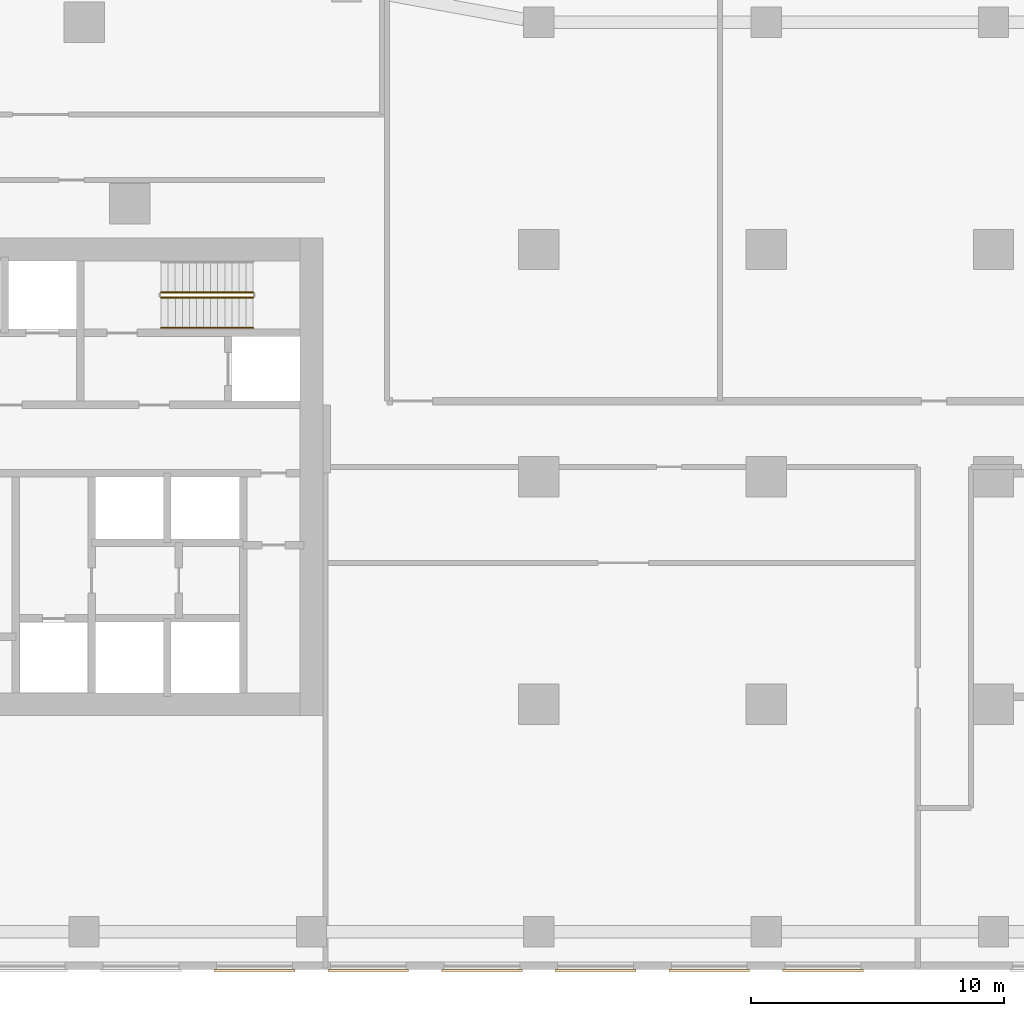
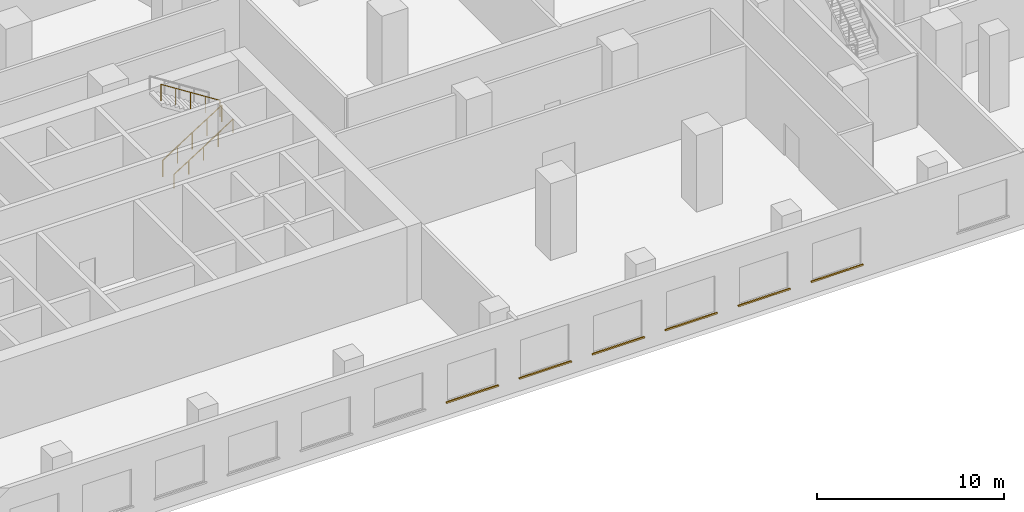
# One storey, part 23 of 33: 6 coverings, 3 railings.
"""IFC4 building model written with IfcOpenShell, lengths in metres."""

import ifcopenshell
import ifcopenshell.guid

model = None  # the IFC model being written
_history = None  # IfcOwnerHistory: only IFC2X3 demands one
_inside = {}  # id of a spatial element -> (the spatial element, [elements in it])
_under = {}  # id of a project, library or spatial element -> (it, [spatial elements below it])
_declared = {}  # id of a project -> (the project, [libraries it declares])
_typed = {}  # id of a type object -> (the type object, [elements of that type])
_made_of = {}  # id of a material, layer set ... -> (it, [elements and type objects made of it])


def new_model(schema):
    """Start an empty IFC model of exactly this schema.

    Asked for "IFC4X3", IfcOpenShell would pick the latest addendum, in which some entities
    have other attributes; the version numbers below select the first issue.
    IFC2X3 requires an IfcOwnerHistory on every rooted entity: one is made here for all.
    """
    global model, _history
    if schema == "IFC4X3":
        model = ifcopenshell.file(schema_version=(4, 3, 0, 0))
    else:
        model = ifcopenshell.file(schema=schema)
    _inside.clear()
    _under.clear()
    _declared.clear()
    _typed.clear()
    _made_of.clear()
    _history = None
    if model.schema == "IFC2X3":
        org = make("IfcOrganization", Name="unknown")
        user = make(
            "IfcPersonAndOrganization",
            ThePerson=make("IfcPerson", FamilyName="unknown"),
            TheOrganization=org,
        )
        app = make(
            "IfcApplication",
            ApplicationDeveloper=org,
            Version="unknown",
            ApplicationFullName="unknown",
            ApplicationIdentifier="unknown",
        )
        _history = make(
            "IfcOwnerHistory",
            OwningUser=user,
            OwningApplication=app,
            ChangeAction="ADDED",
            CreationDate=0,
        )
    return model


def make(cls, **values):
    """One entity of the class cls with the attributes given. An attribute that is None is left unset."""
    return model.create_entity(
        cls, **{name: value for name, value in values.items() if value is not None}
    )


def rooted(cls, **values):
    """An entity with a GlobalId (a new one), such as an element, a storey or a relation."""
    return make(cls, GlobalId=ifcopenshell.guid.new(), OwnerHistory=_history, **values)


def si_unit(unit_type, name, prefix=None):
    """IfcSIUnit, for example si_unit("LENGTHUNIT", "METRE", prefix="MILLI")."""
    return make("IfcSIUnit", UnitType=unit_type, Prefix=prefix, Name=name)


def assignment(units):
    """IfcUnitAssignment: the units of a project."""
    return None if units is None else make("IfcUnitAssignment", Units=units)


def point(xyz):
    """IfcCartesianPoint."""
    return None if xyz is None else make("IfcCartesianPoint", Coordinates=xyz)


def direction(xyz):
    """IfcDirection."""
    return None if xyz is None else make("IfcDirection", DirectionRatios=xyz)


def frame(location, z_axis=None, x_axis=None):
    """IfcAxis2Placement3D, a coordinate frame: its origin and axes. An axis left out is left unset."""
    return make(
        "IfcAxis2Placement3D",
        Location=point(location),
        Axis=direction(z_axis),
        RefDirection=direction(x_axis),
    )


def frame_2d(location, x_axis=None):
    """IfcAxis2Placement2D, a coordinate frame in the plane: its origin and x axis."""
    return make(
        "IfcAxis2Placement2D", Location=point(location), RefDirection=direction(x_axis)
    )


def origin():
    """The frame at (0, 0, 0) with its axes left unset."""
    return frame((0.0, 0.0, 0.0))


def origin_2d():
    """The frame at (0, 0) in the plane with its x axis left unset."""
    return frame_2d((0.0, 0.0))


def place(relative_to, where):
    """IfcLocalPlacement: puts the frame where relative to a parent placement (None: the world)."""
    return make(
        "IfcLocalPlacement", PlacementRelTo=relative_to, RelativePlacement=where
    )


def context(
    kind, dimensions, precision=None, world=None, true_north=None, identifier=None
):
    """IfcGeometricRepresentationContext, for example the 3D "Model" context."""
    return make(
        "IfcGeometricRepresentationContext",
        ContextIdentifier=identifier,
        ContextType=kind,
        CoordinateSpaceDimension=dimensions,
        Precision=precision,
        WorldCoordinateSystem=world,
        TrueNorth=true_north,
    )


def subcontext(parent, identifier, kind, view, scale=None):
    """IfcGeometricRepresentationSubContext, for example "Body" below "Model"."""
    return make(
        "IfcGeometricRepresentationSubContext",
        ContextIdentifier=identifier,
        ContextType=kind,
        ParentContext=parent,
        TargetScale=scale,
        TargetView=view,
    )


def project(units=None, contexts=None):
    """IfcProject with its units and contexts."""
    return rooted(
        "IfcProject",
        Name="project",
        RepresentationContexts=contexts,
        UnitsInContext=assignment(units),
    )


def spatial(cls, under=None, at=None, **own):
    """A site, building, storey or space (cls), placed at a placement, below another one or the project."""
    s = rooted(cls, ObjectPlacement=at, **own)
    if under is not None:
        _under.setdefault(under.id(), (under, []))[1].append(s)
    return s


def profile(cls, at=None, kind="AREA", **sizes):
    """A parametric profile (cls). Its sizes go by their IFC names, for example OverallWidth=200.0."""
    return make(cls, ProfileType=kind, Position=at, **sizes)


def rectangle(**sizes):
    """IfcRectangleProfileDef."""
    return profile("IfcRectangleProfileDef", **sizes)


def circle(**sizes):
    """IfcCircleProfileDef."""
    return profile("IfcCircleProfileDef", **sizes)


def extrude(swept, where, along, depth):
    """IfcExtrudedAreaSolid: the profile swept, set in the frame where, extruded along a direction by depth."""
    return make(
        "IfcExtrudedAreaSolid",
        SweptArea=swept,
        Position=where,
        ExtrudedDirection=direction(along),
        Depth=depth,
    )


def shape(context_of_items, identifier, shape_type, items):
    """IfcShapeRepresentation: the items that make up one representation, for example the "Body"."""
    return make(
        "IfcShapeRepresentation",
        ContextOfItems=context_of_items,
        RepresentationIdentifier=identifier,
        RepresentationType=shape_type,
        Items=items,
    )


def material(Name=None, Category=None):
    """IfcMaterial."""
    return make("IfcMaterial", Name=Name, Category=Category)


def layer(
    of_material, thickness, ventilated=None, Name=None, Category=None, Priority=None
):
    """IfcMaterialLayer: one layer of a wall or slab, of a material (None: an air gap)."""
    return make(
        "IfcMaterialLayer",
        Material=of_material,
        LayerThickness=thickness,
        IsVentilated=ventilated,
        Name=Name,
        Category=Category,
        Priority=Priority,
    )


def layer_set(layers, Name=None):
    """IfcMaterialLayerSet."""
    return make("IfcMaterialLayerSet", MaterialLayers=layers, LayerSetName=Name)


def made_of(thing, what):
    """Note that an element or type object is made of a material, layer set ...; save() writes the relation."""
    if what is not None:
        _made_of.setdefault(what.id(), (what, []))[1].append(thing)
    return thing


def type_object(cls, material=None, **own):
    """A type object (cls), such as IfcWallType, which elements share."""
    return made_of(rooted(cls, **own), material)


def element(
    cls,
    number,
    at=None,
    inside=None,
    cuts=None,
    type_object=None,
    material=None,
    context=None,
    identifier="Body",
    shape_type=None,
    held_by="IfcProductDefinitionShape",
    body=None,
    shapes=None,
    **own,
):
    """One element of the class cls, such as IfcWall. Its Tag is "e" and its number.

    at: its placement. inside: the storey or other place that contains it. cuts: it is an
    opening in that element (IfcRelVoidsElement). A single representation is given by context,
    identifier, shape_type and body (its items); several are given by shapes. held_by: the class
    of the entity that holds the representations. save() writes the other relations.
    """
    e = rooted(cls, Tag="e%d" % number, ObjectPlacement=at, **own)
    if body is not None:
        shapes = [shape(context, identifier, shape_type, body)]
    if shapes is not None:
        e.Representation = make(held_by, Representations=shapes)
    if inside is not None:
        _inside.setdefault(inside.id(), (inside, []))[1].append(e)
    if cuts is not None:
        rooted(
            "IfcRelVoidsElement", RelatingBuildingElement=cuts, RelatedOpeningElement=e
        )
    if type_object is not None:
        _typed.setdefault(type_object.id(), (type_object, []))[1].append(e)
    return made_of(e, material)


def aggregate(whole, parts):
    """IfcRelAggregates: a whole, such as a stair, and the parts it consists of."""
    return rooted("IfcRelAggregates", RelatingObject=whole, RelatedObjects=parts)


def save(model, path):
    """Write the relations noted so far, then the file.

    IfcRelAggregates (storeys below a building ...), IfcRelContainedInSpatialStructure (elements
    in a storey), IfcRelDefinesByType, IfcRelAssociatesMaterial and IfcRelDeclares: one each for
    every whole, place, type object, material and project.
    """
    for whole, parts in _under.values():
        aggregate(whole, parts)
    for where, things in _inside.values():
        rooted(
            "IfcRelContainedInSpatialStructure",
            RelatedElements=things,
            RelatingStructure=where,
        )
    for kind, things in _typed.values():
        rooted("IfcRelDefinesByType", RelatedObjects=things, RelatingType=kind)
    for what, things in _made_of.values():
        rooted("IfcRelAssociatesMaterial", RelatedObjects=things, RelatingMaterial=what)
    for by, libraries in _declared.values():
        rooted("IfcRelDeclares", RelatingContext=by, RelatedDefinitions=libraries)
    model.write(path)


model = new_model("IFC4")

# Units and contexts
model_context = context("Model", 3, precision=1e-05, world=origin(), true_north=direction((0.0, 1.0)))
body_context = subcontext(model_context, "Body", "Model", "MODEL_VIEW")
ifc_project = project(units=[si_unit("LENGTHUNIT", "METRE"), si_unit("AREAUNIT", "SQUARE_METRE"), si_unit("VOLUMEUNIT", "CUBIC_METRE"), si_unit("PLANEANGLEUNIT", "RADIAN"), si_unit("MASSUNIT", "GRAM", prefix="KILO")], contexts=[model_context])

# Site, building, storey
site_placement = place(None, origin())
site = spatial("IfcSite", under=ifc_project, at=site_placement, CompositionType="ELEMENT")
building_placement = place(site_placement, origin())
building = spatial("IfcBuilding", under=site, at=building_placement, Name="Ogive Portal Towers", CompositionType="ELEMENT")
storey_placement = place(building_placement, frame((0.0, 0.0, 28.5)))
storey = spatial("IfcBuildingStorey", under=building, at=storey_placement, Name="L05", CompositionType="ELEMENT", Elevation=28.5)

# Railings
ifc_material_1 = material(Name="Stainless steel balustrade", Category="steel")
railing_type_1 = type_object("IfcRailingType", Name="INT-GUARD", PredefinedType="GUARDRAIL", material=ifc_material_1)
railing_1_placement = place(storey_placement, frame((52.550048828125, 37.60009765625, 0.178466796875)))
element("IfcRailing", 1, at=railing_1_placement, inside=storey, type_object=railing_type_1, Name="L05 ST-A2 stair guard 1", PredefinedType="GUARDRAIL", context=body_context, shape_type="SweptSolid", body=[
    extrude(circle(Radius=0.02392578125, at=origin_2d()), frame((0.0, 0.0, 1.076171875), z_axis=(0.843111507901, 0.0, 0.53773877045), x_axis=(0.0, 1.0, 0.0)), (0.0, 0.0, 1.0), 4.317138671875),
    extrude(circle(Radius=0.02099609375, at=origin_2d()), origin(), (0.0, 0.0, 1.0), 1.052001953125),
    extrude(circle(Radius=0.02099609375, at=origin_2d()), frame((0.909912109375, 0.0, 0.580322265625)), (0.0, 0.0, 1.0), 1.052001953125),
    extrude(circle(Radius=0.02099609375, at=origin_2d()), frame((1.81982421875, 0.0, 1.16064453125)), (0.0, 0.0, 1.0), 1.052001953125),
    extrude(circle(Radius=0.02099609375, at=origin_2d()), frame((2.72998046875, 0.0, 1.7412109375)), (0.0, 0.0, 1.0), 1.052001953125),
    extrude(circle(Radius=0.02099609375, at=origin_2d()), frame((3.639892578125, 0.0, 2.321533203125)), (0.0, 0.0, 1.0), 1.052001953125),
])
railing_2_placement = place(storey_placement, frame((56.18994140625, 37.800048828125, 2.678466796875)))
element("IfcRailing", 2, at=railing_2_placement, inside=storey, type_object=railing_type_1, Name="L05 ST-A2 stair guard 3", PredefinedType="GUARDRAIL", context=body_context, shape_type="SweptSolid", body=[
    extrude(circle(Radius=0.02392578125, at=origin_2d()), frame((0.0, 0.0, 1.076171875), z_axis=(-0.843111507901, 0.0, 0.53773877045), x_axis=(0.0, -1.0, 0.0)), (0.0, 0.0, 1.0), 4.317138671875),
    extrude(circle(Radius=0.02099609375, at=origin_2d()), origin(), (0.0, 0.0, 1.0), 1.052001953125),
    extrude(circle(Radius=0.02099609375, at=origin_2d()), frame((-0.909912109375, 0.0, 0.580322265625)), (0.0, 0.0, 1.0), 1.052001953125),
    extrude(circle(Radius=0.02099609375, at=origin_2d()), frame((-1.81982421875, 0.0, 1.16064453125)), (0.0, 0.0, 1.0), 1.052001953125),
    extrude(circle(Radius=0.02099609375, at=origin_2d()), frame((-2.72998046875, 0.0, 1.7412109375)), (0.0, 0.0, 1.0), 1.052001953125),
    extrude(circle(Radius=0.02099609375, at=origin_2d()), frame((-3.639892578125, 0.0, 2.321533203125)), (0.0, 0.0, 1.0), 1.052001953125),
])
ifc_material_2 = material(Name="Stainless steel handrail", Category="steel")
railing_type_2 = type_object("IfcRailingType", Name="INT-HANDRAIL", PredefinedType="HANDRAIL", material=ifc_material_2)
railing_3_placement = place(storey_placement, frame((52.550048828125, 36.39990234375, 0.178466796875)))
element("IfcRailing", 3, at=railing_3_placement, inside=storey, type_object=railing_type_2, Name="L05 ST-A2 stair handrail 1", PredefinedType="HANDRAIL", context=body_context, shape_type="SweptSolid", body=[
    extrude(circle(Radius=0.02392578125, at=origin_2d()), frame((0.0, 0.0, 0.8759765625), z_axis=(0.843111507901, 0.0, 0.53773877045), x_axis=(0.0, 1.0, 0.0)), (0.0, 0.0, 1.0), 4.317138671875),
    extrude(circle(Radius=0.02099609375, at=origin_2d()), origin(), (0.0, 0.0, 1.0), 0.851806640625),
    extrude(circle(Radius=0.02099609375, at=origin_2d()), frame((0.909912109375, 0.0, 0.580322265625)), (0.0, 0.0, 1.0), 0.851806640625),
    extrude(circle(Radius=0.02099609375, at=origin_2d()), frame((1.81982421875, 0.0, 1.16064453125)), (0.0, 0.0, 1.0), 0.851806640625),
    extrude(circle(Radius=0.02099609375, at=origin_2d()), frame((2.72998046875, 0.0, 1.7412109375)), (0.0, 0.0, 1.0), 0.851806640625),
    extrude(circle(Radius=0.02099609375, at=origin_2d()), frame((3.639892578125, 0.0, 2.321533203125)), (0.0, 0.0, 1.0), 0.851806640625),
])

# Coverings
ifc_material_3 = material(Name="Limestone cladding on lightweight block wall", Category="masonry")
ifc_layer = layer(ifc_material_3, 0.080078125)
ifc_layer_set = layer_set([ifc_layer], Name="STONE SILL 80")
covering_type = type_object("IfcCoveringType", Name="STONE SILL 80", PredefinedType="CLADDING", material=ifc_layer_set)
for number, where, z_axis, x_axis, name in (
    (4, (56.25, 10.9599609375, 0.840087890625), (0.0, 0.0, 1.0), (1.0, 0.0, 0.0), "Stone sill"),
    (5, (60.75, 10.9599609375, 0.840087890625), (0.0, 0.0, 1.0), (1.0, 0.0, 0.0), "Stone sill"),
    (6, (65.25, 10.9599609375, 0.840087890625), (0.0, 0.0, 1.0), (1.0, 0.0, 0.0), "Stone sill"),
    (7, (69.75, 10.9599609375, 0.840087890625), (0.0, 0.0, 1.0), (1.0, 0.0, 0.0), "Stone sill"),
    (8, (74.25, 10.9599609375, 0.840087890625), (0.0, 0.0, 1.0), (1.0, 0.0, 0.0), "Stone sill"),
    (9, (78.75, 10.9599609375, 0.840087890625), (0.0, 0.0, 1.0), (1.0, 0.0, 0.0), "Stone sill"),
):
    element("IfcCovering", number, at=place(storey_placement, frame(where, z_axis=z_axis, x_axis=x_axis)), inside=storey, type_object=covering_type, Name=name, PredefinedType="CLADDING", context=body_context, shape_type="SweptSolid", body=[
        extrude(rectangle(XDim=3.199951171875, YDim=0.080078125, at=origin_2d()), origin(), (0.0, 0.0, 1.0), 0.06005859375),
    ])

save(model, "model.ifc")
